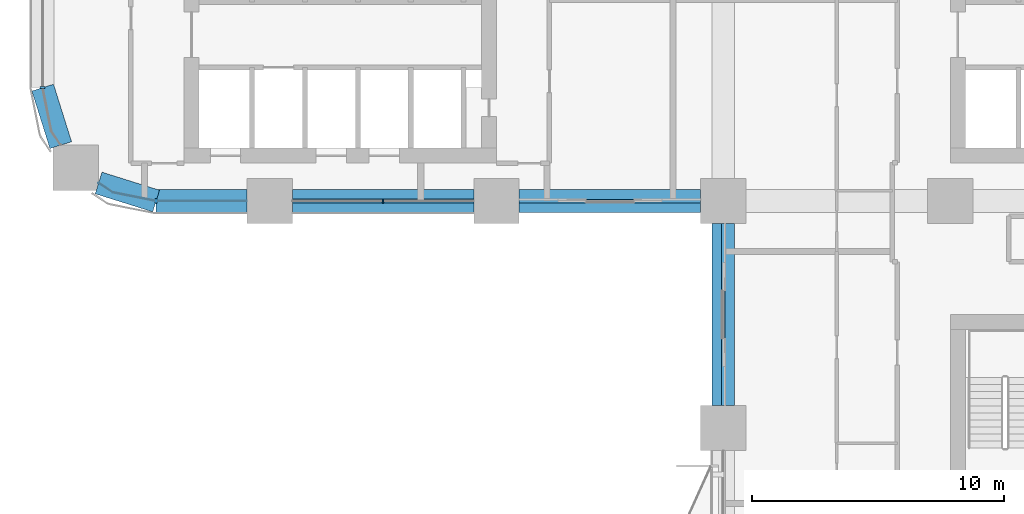
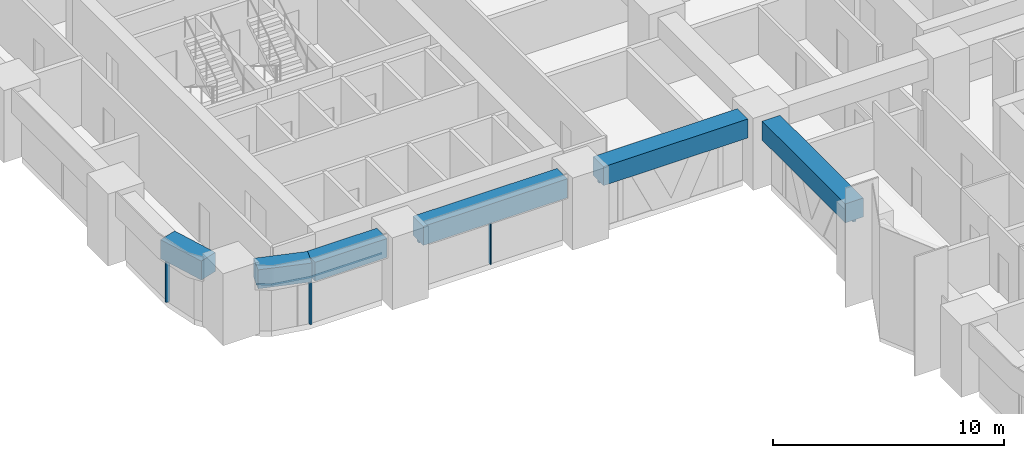
# One storey, part 3 of 19: 7 members, 6 beams, 5 elements without a shape of their own.
"""IFC4 building model written with IfcOpenShell, lengths in metres."""

from ifc_helpers import new_model, si_unit, direction, frame, origin, origin_2d, place, context, subcontext, project, spatial, polyline, rectangle, outline, extrude, material, material_profile, profile_set, type_object, element, aggregate, save


model = new_model("IFC4")

# Units and contexts
model_context = context("Model", 3, precision=1e-05, world=origin(), true_north=direction((0.0, 1.0)))
body_context = subcontext(model_context, "Body", "Model", "MODEL_VIEW")
ifc_project = project(units=[si_unit("LENGTHUNIT", "METRE"), si_unit("AREAUNIT", "SQUARE_METRE"), si_unit("VOLUMEUNIT", "CUBIC_METRE"), si_unit("PLANEANGLEUNIT", "RADIAN"), si_unit("MASSUNIT", "GRAM", prefix="KILO")], contexts=[model_context])

# Site, building, storey
site_placement = place(None, origin())
site = spatial("IfcSite", under=ifc_project, at=site_placement, CompositionType="ELEMENT")
building_placement = place(site_placement, origin())
building = spatial("IfcBuilding", under=site, at=building_placement, Name="Tessera Arch", CompositionType="ELEMENT")
storey_placement = place(building_placement, frame((0.0, 0.0, 85.39990234375)))
storey = spatial("IfcBuildingStorey", under=building, at=storey_placement, Name="L19", CompositionType="ELEMENT", Elevation=85.39990234375)

# Curtain wall, members
ifc_material_1 = material(Name="CW1 curtain wall")
curtain_wall_type_1 = type_object("IfcCurtainWallType", Name="CW1 curtain wall", PredefinedType="NOTDEFINED", material=ifc_material_1)
curtain_wall_1_placement = place(storey_placement, origin())
curtain_wall_1 = element("IfcCurtainWall", 1, at=curtain_wall_1_placement, inside=storey, type_object=curtain_wall_type_1, Name="CW1 curtain wall S27.0/1 L19", PredefinedType="NOTDEFINED")
ifc_material_2 = material(Name="Anodised aluminium pale metal", Category="aluminium")
ifc_material_profile_1 = material_profile(ifc_material_2, rectangle(XDim=0.159912109375, YDim=0.06005859375, at=origin_2d()), Name="AL 60x160")
ifc_profile_set_1 = profile_set([ifc_material_profile_1], Name="Anodised aluminium pale metal")
member_type_1 = type_object("IfcMemberType", Name="CW1 mullion", PredefinedType="MULLION", material=ifc_profile_set_1)
member_1_placement = place(storey_placement, frame((13.5, 27.0, 0.0), z_axis=(0.0, 0.0, 1.0), x_axis=(0.0, 1.0, 0.0)))
member_1 = element("IfcMember", 2, at=member_1_placement, type_object=member_type_1, Name="CW1 mullion S27.0/1 1", PredefinedType="MULLION", context=body_context, shape_type="SweptSolid", body=[
    extrude(rectangle(XDim=0.159912109375, YDim=0.06005859375, at=origin_2d()), origin(), (0.0, 0.0, 1.0), 2.400146484375),
])
ifc_material_3 = material(Name="Anodised aluminium pale metal", Category="aluminium")
ifc_material_profile_2 = material_profile(ifc_material_3, rectangle(XDim=0.159912109375, YDim=0.10009765625, at=origin_2d()), Name="AL 160x100")
ifc_profile_set_2 = profile_set([ifc_material_profile_2], Name="Anodised aluminium pale metal")
member_type_2 = type_object("IfcMemberType", Name="CW1 transom", PredefinedType="USERDEFINED", material=ifc_profile_set_2)
member_2_placement = place(storey_placement, frame((9.89990234375, 27.0, 2.4501953125), z_axis=(1.0, 0.0, 0.0), x_axis=(0.0, 1.0, 0.0)))
member_2 = element("IfcMember", 3, at=member_2_placement, type_object=member_type_2, Name="CW1 transom S27.0/1 1.1", ObjectType="TRANSOM", PredefinedType="USERDEFINED", context=body_context, shape_type="SweptSolid", body=[
    extrude(rectangle(XDim=0.159912109375, YDim=0.10009765625, at=origin_2d()), origin(), (0.0, 0.0, 1.0), 7.2001953125),
])
aggregate(curtain_wall_1, [member_1, member_2])

# Curtain wall, member
ifc_material_4 = material(Name="CW2 curtain wall")
curtain_wall_type_2 = type_object("IfcCurtainWallType", Name="CW2 curtain wall", PredefinedType="NOTDEFINED", material=ifc_material_4)
curtain_wall_2_placement = place(storey_placement, origin())
curtain_wall_2 = element("IfcCurtainWall", 4, at=curtain_wall_2_placement, inside=storey, type_object=curtain_wall_type_2, Name="CW2 curtain wall W0.27/2 L19", PredefinedType="NOTDEFINED")
ifc_material_5 = material(Name="Anodised aluminium pale metal", Category="aluminium")
ifc_material_profile_3 = material_profile(ifc_material_5, rectangle(XDim=0.199951171875, YDim=0.080078125, at=origin_2d()), Name="AL 80x200")
ifc_profile_set_3 = profile_set([ifc_material_profile_3], Name="Anodised aluminium pale metal")
member_type_3 = type_object("IfcMemberType", Name="CW2 mullion", PredefinedType="MULLION", material=ifc_profile_set_3)
member_3_placement = place(storey_placement, frame((0.0, 31.5, 0.0), z_axis=(0.0, 0.0, 1.0), x_axis=(1.0, 0.0, 0.0)))
member_3 = element("IfcMember", 5, at=member_3_placement, type_object=member_type_3, Name="CW2 mullion W0.27/2 1", PredefinedType="MULLION", context=body_context, shape_type="SweptSolid", body=[
    extrude(rectangle(XDim=0.199951171875, YDim=0.080078125, at=origin_2d()), origin(), (0.0, 0.0, 1.0), 2.400146484375),
])
aggregate(curtain_wall_2, [member_3])

# Curtain wall, members
curtain_wall_3_placement = place(storey_placement, origin())
curtain_wall_3 = element("IfcCurtainWall", 6, at=curtain_wall_3_placement, inside=storey, type_object=curtain_wall_type_2, Name="CW2 curtain wall S27.0/0 L19", PredefinedType="NOTDEFINED")
member_4_placement = place(storey_placement, frame((4.5, 27.0, 0.0), z_axis=(0.0, 0.0, 1.0), x_axis=(0.0, 1.0, 0.0)))
member_4 = element("IfcMember", 7, at=member_4_placement, type_object=member_type_3, Name="CW2 mullion S27.0/0 1", PredefinedType="MULLION", context=body_context, shape_type="SweptSolid", body=[
    extrude(rectangle(XDim=0.199951171875, YDim=0.080078125, at=origin_2d()), origin(), (0.0, 0.0, 1.0), 2.400146484375),
])
ifc_material_6 = material(Name="Anodised aluminium pale metal", Category="aluminium")
ifc_material_profile_4 = material_profile(ifc_material_6, rectangle(XDim=0.199951171875, YDim=0.10009765625, at=origin_2d()), Name="AL 200x100")
ifc_profile_set_4 = profile_set([ifc_material_profile_4], Name="Anodised aluminium pale metal")
member_type_4 = type_object("IfcMemberType", Name="CW2 transom", PredefinedType="USERDEFINED", material=ifc_profile_set_4)
member_5_placement = place(storey_placement, frame((0.0, 0.0, 2.400146484375)))
member_5 = element("IfcMember", 8, at=member_5_placement, type_object=member_type_4, Name="CW2 transom S27.0/0 1", ObjectType="TRANSOM", PredefinedType="USERDEFINED", context=body_context, shape_type="SweptSolid", body=[
    extrude(outline(polyline([(2.78173828125, 27.351806640625), (2.2236328125, 27.72509765625), (2.21240234375, 27.70849609375), (2.77392578125, 27.3330078125), (4.4990234375, 26.989990234375), (8.10009765625, 26.989990234375), (8.10009765625, 27.010009765625), (4.5009765625, 27.010009765625), (2.78173828125, 27.351806640625)])), origin(), (0.0, 0.0, 1.0), 0.099853515625),
])
aggregate(curtain_wall_3, [member_4, member_5])

# Curtain wall, member
ifc_material_7 = material(Name="CW3 curtain wall")
curtain_wall_type_3 = type_object("IfcCurtainWallType", Name="CW3 curtain wall", PredefinedType="NOTDEFINED", material=ifc_material_7)
curtain_wall_4_placement = place(storey_placement, origin())
curtain_wall_4 = element("IfcCurtainWall", 9, at=curtain_wall_4_placement, inside=storey, type_object=curtain_wall_type_3, Name="CW3 curtain wall S27.0/2 L19", PredefinedType="NOTDEFINED")
ifc_material_8 = material(Name="Anodised aluminium pale metal", Category="aluminium")
ifc_material_profile_5 = material_profile(ifc_material_8, rectangle(XDim=0.139892578125, YDim=0.10009765625, at=origin_2d()), Name="AL 140x100")
ifc_profile_set_5 = profile_set([ifc_material_profile_5], Name="Anodised aluminium pale metal")
member_type_5 = type_object("IfcMemberType", Name="CW3 transom", PredefinedType="USERDEFINED", material=ifc_profile_set_5)
member_6_placement = place(storey_placement, frame((18.89990234375, 27.0, 2.4501953125), z_axis=(1.0, 0.0, 0.0), x_axis=(0.0, 1.0, 0.0)))
member_6 = element("IfcMember", 10, at=member_6_placement, type_object=member_type_5, Name="CW3 transom S27.0/2 1.1", ObjectType="TRANSOM", PredefinedType="USERDEFINED", context=body_context, shape_type="SweptSolid", body=[
    extrude(rectangle(XDim=0.139892578125, YDim=0.10009765625, at=origin_2d()), origin(), (0.0, 0.0, 1.0), 7.2001953125),
])
aggregate(curtain_wall_4, [member_6])

curtain_wall_5_placement = place(storey_placement, origin())
curtain_wall_5 = element("IfcCurtainWall", 11, at=curtain_wall_5_placement, inside=storey, type_object=curtain_wall_type_3, Name="CW3 curtain wall W27.0/0 L19", PredefinedType="NOTDEFINED")
member_7_placement = place(storey_placement, frame((27.0, 26.10009765625, 2.4501953125), z_axis=(0.0, -1.0, 0.0), x_axis=(1.0, 0.0, 0.0)))
member_7 = element("IfcMember", 12, at=member_7_placement, type_object=member_type_5, Name="CW3 transom W27.0/0 1.1", ObjectType="TRANSOM", PredefinedType="USERDEFINED", context=body_context, shape_type="SweptSolid", body=[
    extrude(rectangle(XDim=0.139892578125, YDim=0.10009765625, at=origin_2d()), origin(), (0.0, 0.0, 1.0), 7.2001953125),
])
aggregate(curtain_wall_5, [member_7])

# Beams
ifc_material_9 = material(Name="Concrete C80/95", Category="concrete")
ifc_material_profile_6 = material_profile(ifc_material_9, rectangle(XDim=0.89990234375, YDim=1.0, at=origin_2d()), Name="RC spandrel beam 900 x 1000 Concrete C80/95")
ifc_profile_set_6 = profile_set([ifc_material_profile_6], Name="Concrete C80/95")
beam_type = type_object("IfcBeamType", Name="RC spandrel beam 900 x 1000 Concrete C80/95", PredefinedType="BEAM", material=ifc_profile_set_6)
for number, where, z_axis, x_axis, name in (
    (13, (0.0, 31.5, 3.0), (0.299675309057, -0.954041251279, 0.0), (0.954041251279, 0.299675309057, 0.0), "Spandrel beam L19 W0.27/2.2"),
    (14, (2.218017578125, 27.716796875, 3.0), (0.954041251279, -0.299675309057, 0.0), (0.299675309057, 0.954041251279, 0.0), "Spandrel beam L19 S27.0/0.1"),
):
    element("IfcBeam", number, at=place(storey_placement, frame(where, z_axis=z_axis, x_axis=x_axis)), inside=storey, type_object=beam_type, Name=name, PredefinedType="BEAM", context=body_context, shape_type="SweptSolid", body=[
        extrude(rectangle(XDim=0.89990234375, YDim=1.0, at=origin_2d()), origin(), (0.0, 0.0, 1.0), 2.391845703125),
    ])
beam_placement = place(storey_placement, frame((4.5, 27.0, 3.0), z_axis=(1.0, 0.0, 0.0), x_axis=(0.0, 1.0, 0.0)))
element("IfcBeam", 15, at=beam_placement, inside=storey, type_object=beam_type, Name="Spandrel beam L19 S27.0/0.2", PredefinedType="BEAM", context=body_context, shape_type="SweptSolid", body=[
    extrude(rectangle(XDim=0.89990234375, YDim=1.0, at=origin_2d()), origin(), (0.0, 0.0, 1.0), 3.60009765625),
])
for number, where, z_axis, x_axis, name in (
    (16, (9.89990234375, 27.0, 3.0), (1.0, 0.0, 0.0), (0.0, 1.0, 0.0), "Spandrel beam L19 S27.0/1"),
    (17, (18.89990234375, 27.0, 3.0), (1.0, 0.0, 0.0), (0.0, 1.0, 0.0), "Spandrel beam L19 S27.0/2"),
    (18, (27.0, 26.10009765625, 3.0), (0.0, -1.0, 0.0), (1.0, 0.0, 0.0), "Spandrel beam L19 W27.0/0"),
):
    element("IfcBeam", number, at=place(storey_placement, frame(where, z_axis=z_axis, x_axis=x_axis)), inside=storey, type_object=beam_type, Name=name, PredefinedType="BEAM", context=body_context, shape_type="SweptSolid", body=[
        extrude(rectangle(XDim=0.89990234375, YDim=1.0, at=origin_2d()), origin(), (0.0, 0.0, 1.0), 7.2001953125),
    ])

save(model, "model.ifc")
